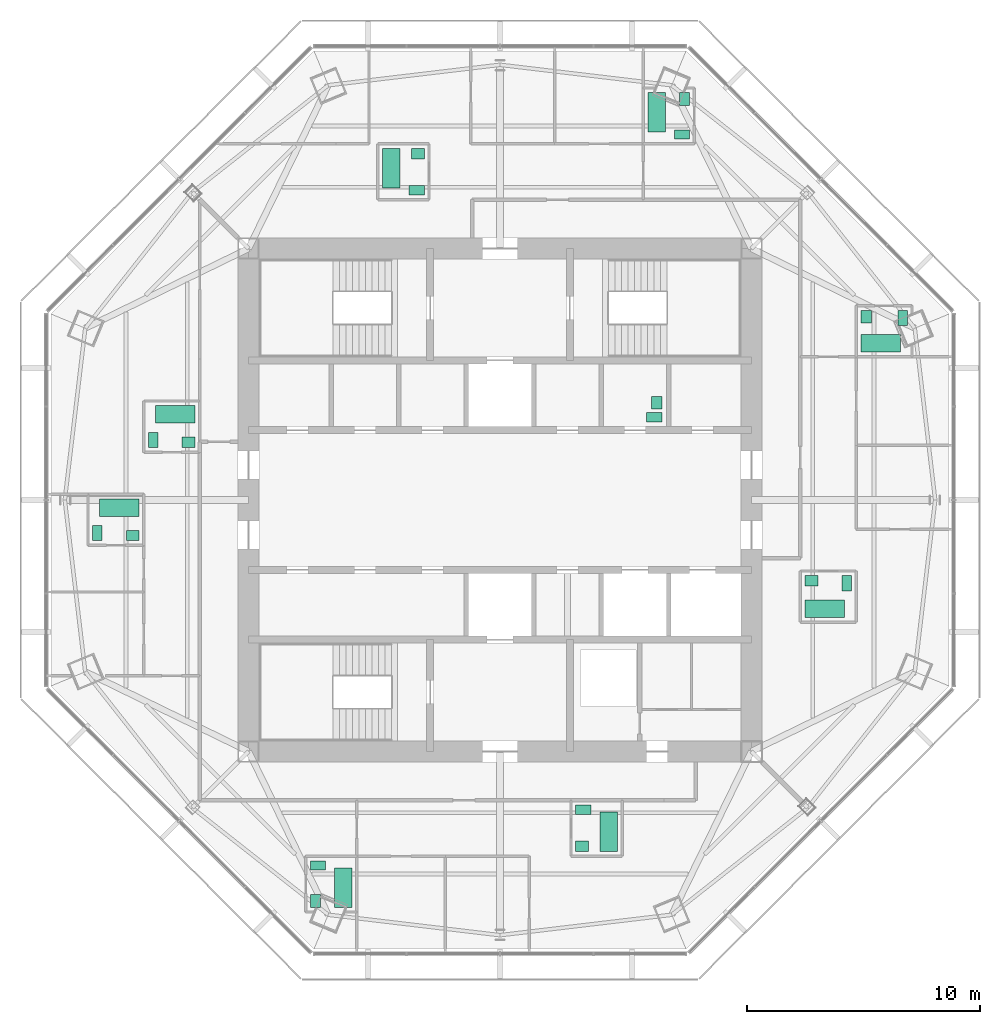
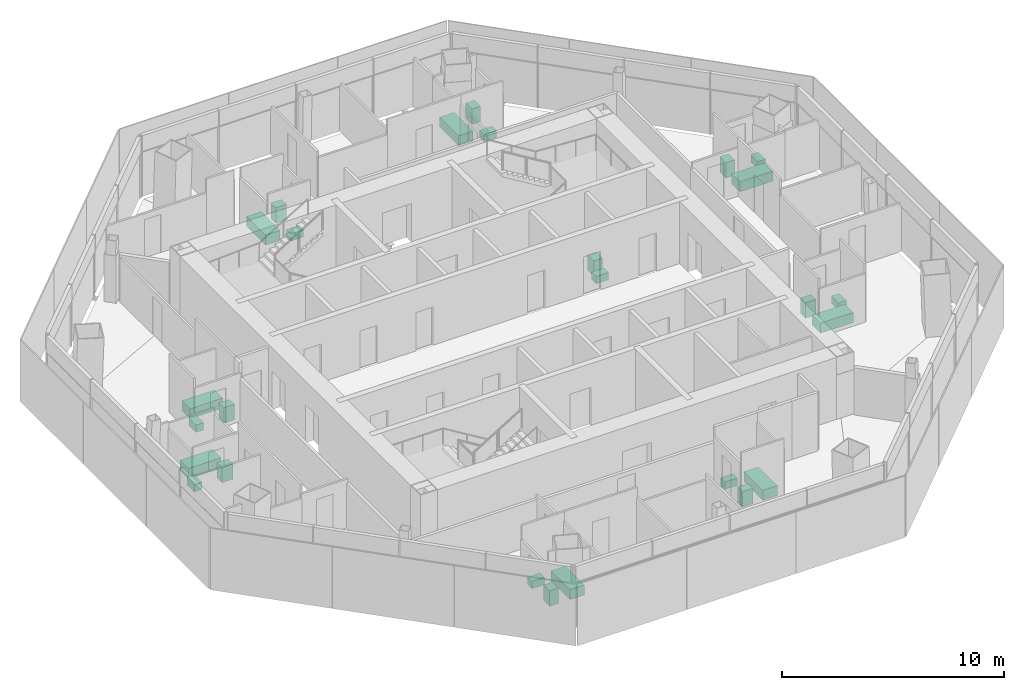
# One storey, part 15 of 15: 26 sanitary terminals.
"""IFC4 building model written with IfcOpenShell, lengths in metres."""

from ifc_helpers import new_model, si_unit, direction, frame, origin, origin_2d, place, context, subcontext, project, spatial, rectangle, extrude, material, type_object, element, save


model = new_model("IFC4")

# Units and contexts
model_context = context("Model", 3, precision=1e-05, world=origin(), true_north=direction((0.0, 1.0)))
body_context = subcontext(model_context, "Body", "Model", "MODEL_VIEW")
ifc_project = project(units=[si_unit("LENGTHUNIT", "METRE"), si_unit("AREAUNIT", "SQUARE_METRE"), si_unit("VOLUMEUNIT", "CUBIC_METRE"), si_unit("PLANEANGLEUNIT", "RADIAN"), si_unit("MASSUNIT", "GRAM", prefix="KILO")], contexts=[model_context])

# Site, building, storey
site_placement = place(None, origin())
site = spatial("IfcSite", under=ifc_project, at=site_placement, CompositionType="ELEMENT")
building_placement = place(site_placement, origin())
building = spatial("IfcBuilding", under=site, at=building_placement, Name="Mashrafa Tower", CompositionType="ELEMENT")
storey_placement = place(building_placement, frame((0.0, 0.0, 301.39990234375)))
storey = spatial("IfcBuildingStorey", under=building, at=storey_placement, Name="L74", CompositionType="ELEMENT", Elevation=301.39990234375)

# Sanitary terminals
ifc_material_1 = material(Name="Enamelled steel", Category="steel")
sanitary_terminal_type_1 = type_object("IfcSanitaryTerminalType", Name="Bath 1700 x 750", PredefinedType="BATH", material=ifc_material_1)
for number, where, z_axis, x_axis, name in (
    (1, (13.949951171875, -4.675048828125, 0.0), (0.0, 0.0, 1.0), (1.0, 0.0, 0.0), "Bath Apartment 7401 Bathroom"),
    (2, (16.35009765625, 6.72509765625, 0.0), (0.0, 0.0, 1.0), (1.0, 0.0, 0.0), "Bath Apartment 7401 En-suite Bathroom"),
    (3, (-4.675048828125, 14.25, 0.0), (0.0, 0.0, 1.0), (0.0, -1.0, 0.0), "Bath Apartment 7402 Bathroom"),
    (4, (6.72509765625, 16.64990234375, 0.0), (0.0, 0.0, 1.0), (0.0, -1.0, 0.0), "Bath Apartment 7402 En-suite Bathroom"),
    (5, (-13.949951171875, 3.675048828125, 0.0), (0.0, 0.0, 1.0), (-1.0, 0.0, 0.0), "Bath Apartment 7403 Bathroom"),
    (6, (-16.35009765625, -0.324951171875, 0.0), (0.0, 0.0, 1.0), (-1.0, 0.0, 0.0), "Bath Apartment 7403 En-suite Bathroom"),
    (7, (4.675048828125, -14.25, 0.0), (0.0, 0.0, 1.0), (0.0, 1.0, 0.0), "Bath Apartment 7404 Bathroom"),
    (8, (-6.72509765625, -16.64990234375, 0.0), (0.0, 0.0, 1.0), (0.0, 1.0, 0.0), "Bath Apartment 7404 En-suite Bathroom"),
):
    element("IfcSanitaryTerminal", number, at=place(storey_placement, frame(where, z_axis=z_axis, x_axis=x_axis)), inside=storey, type_object=sanitary_terminal_type_1, Name=name, PredefinedType="BATH", context=body_context, shape_type="SweptSolid", body=[
        extrude(rectangle(XDim=1.699951171875, YDim=0.75, at=origin_2d()), origin(), (0.0, 0.0, 1.0), 0.550048828125),
    ])
ifc_material_2 = material(Name="Vitreous china")
sanitary_terminal_type_2 = type_object("IfcSanitaryTerminalType", Name="Toilet pan 400 x 650", PredefinedType="TOILETPAN", material=ifc_material_2)
for number, where, z_axis, x_axis, name in (
    (9, (6.625, 3.550048828125, 0.000244140625), (0.0, 0.0, 1.0), (0.0, 1.0, 0.0), "Toilet pan Staff WC L74"),
    (10, (14.89990234375, -3.574951171875, 0.000244140625), (0.0, 0.0, 1.0), (-1.0, 0.0, 0.0), "Toilet pan Apartment 7401 Bathroom"),
    (11, (17.300048828125, 7.824951171875, 0.000244140625), (0.0, 0.0, 1.0), (-1.0, 0.0, 0.0), "Toilet pan Apartment 7401 En-suite Bathroom"),
    (12, (-3.574951171875, 13.300048828125, 0.000244140625), (0.0, 0.0, 1.0), (0.0, 1.0, 0.0), "Toilet pan Apartment 7402 Bathroom"),
    (13, (7.824951171875, 15.699951171875, 0.000244140625), (0.0, 0.0, 1.0), (0.0, 1.0, 0.0), "Toilet pan Apartment 7402 En-suite Bathroom"),
    (14, (-14.89990234375, 2.574951171875, 0.000244140625), (0.0, 0.0, 1.0), (1.0, 0.0, 0.0), "Toilet pan Apartment 7403 Bathroom"),
    (15, (-17.300048828125, -1.425048828125, 0.000244140625), (0.0, 0.0, 1.0), (1.0, 0.0, 0.0), "Toilet pan Apartment 7403 En-suite Bathroom"),
    (16, (3.574951171875, -13.300048828125, 0.000244140625), (0.0, 0.0, 1.0), (0.0, -1.0, 0.0), "Toilet pan Apartment 7404 Bathroom"),
    (17, (-7.824951171875, -15.699951171875, 0.000244140625), (0.0, 0.0, 1.0), (0.0, -1.0, 0.0), "Toilet pan Apartment 7404 En-suite Bathroom"),
):
    element("IfcSanitaryTerminal", number, at=place(storey_placement, frame(where, z_axis=z_axis, x_axis=x_axis)), inside=storey, type_object=sanitary_terminal_type_2, Name=name, PredefinedType="TOILETPAN", context=body_context, shape_type="SweptSolid", body=[
        extrude(rectangle(XDim=0.39990234375, YDim=0.64990234375, at=origin_2d()), origin(), (0.0, 0.0, 1.0), 0.39990234375),
    ])
ifc_material_3 = material(Name="Vitreous china")
sanitary_terminal_type_3 = type_object("IfcSanitaryTerminalType", Name="Wash basin 550 x 450", PredefinedType="WASHHANDBASIN", material=ifc_material_3)
for number, where, z_axis, x_axis, name in (
    (18, (6.72509765625, 4.175048828125, 0.0), (0.0, 0.0, 1.0), (0.0, 1.0, 0.0), "Wash basin Staff WC L74"),
    (19, (13.375, -3.47509765625, 0.0), (0.0, 0.0, 1.0), (-1.0, 0.0, 0.0), "Wash basin Apartment 7401 Bathroom"),
    (20, (15.72509765625, 7.875, 0.0), (0.0, 0.0, 1.0), (0.0, -1.0, 0.0), "Wash basin Apartment 7401 En-suite Bathroom"),
    (21, (-3.52490234375, 14.875, 0.0), (0.0, 0.0, 1.0), (-1.0, 0.0, 0.0), "Wash basin Apartment 7402 Bathroom"),
    (22, (7.925048828125, 17.22509765625, 0.0), (0.0, 0.0, 1.0), (0.0, 1.0, 0.0), "Wash basin Apartment 7402 En-suite Bathroom"),
    (23, (-13.375, 2.47509765625, 0.0), (0.0, 0.0, 1.0), (1.0, 0.0, 0.0), "Wash basin Apartment 7403 Bathroom"),
    (24, (-15.77490234375, -1.52490234375, 0.0), (0.0, 0.0, 1.0), (1.0, 0.0, 0.0), "Wash basin Apartment 7403 En-suite Bathroom"),
    (25, (3.52490234375, -14.875, 0.0), (0.0, 0.0, 1.0), (1.0, 0.0, 0.0), "Wash basin Apartment 7404 Bathroom"),
    (26, (-7.925048828125, -17.22509765625, 0.0), (0.0, 0.0, 1.0), (0.0, -1.0, 0.0), "Wash basin Apartment 7404 En-suite Bathroom"),
):
    element("IfcSanitaryTerminal", number, at=place(storey_placement, frame(where, z_axis=z_axis, x_axis=x_axis)), inside=storey, type_object=sanitary_terminal_type_3, Name=name, PredefinedType="WASHHANDBASIN", context=body_context, shape_type="SweptSolid", body=[
        extrude(rectangle(XDim=0.550048828125, YDim=0.449951171875, at=origin_2d()), origin(), (0.0, 0.0, 1.0), 0.85009765625),
    ])

save(model, "model.ifc")
